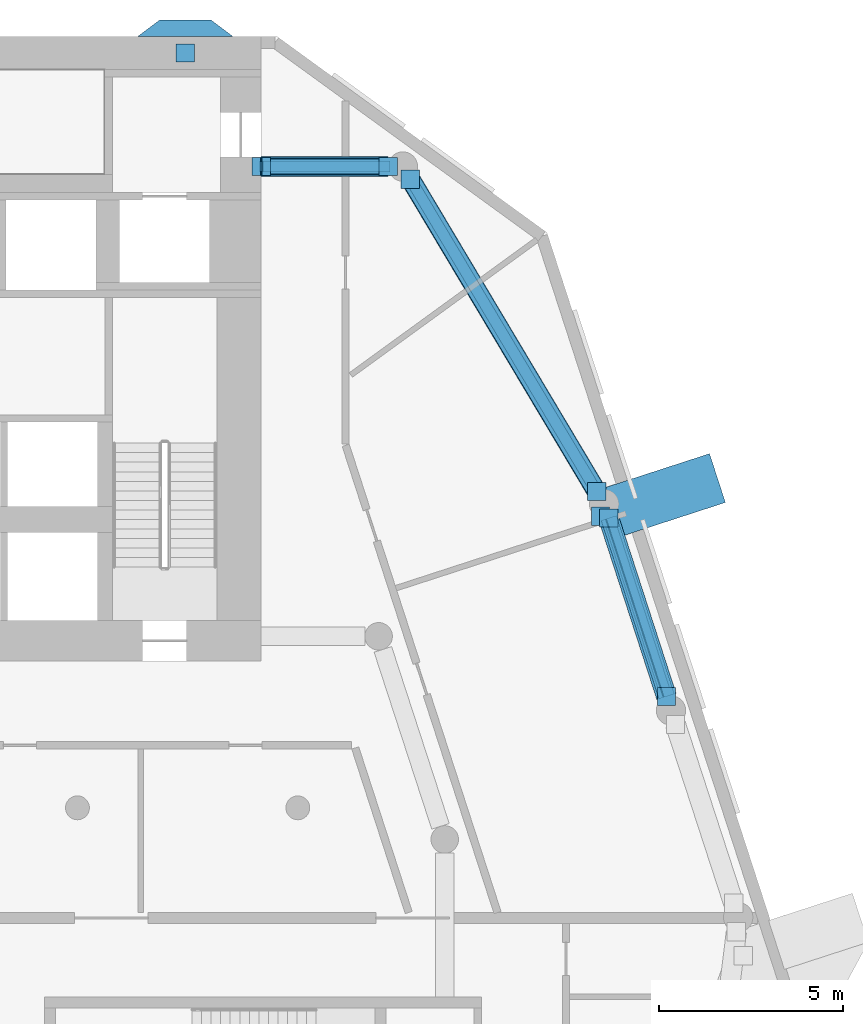
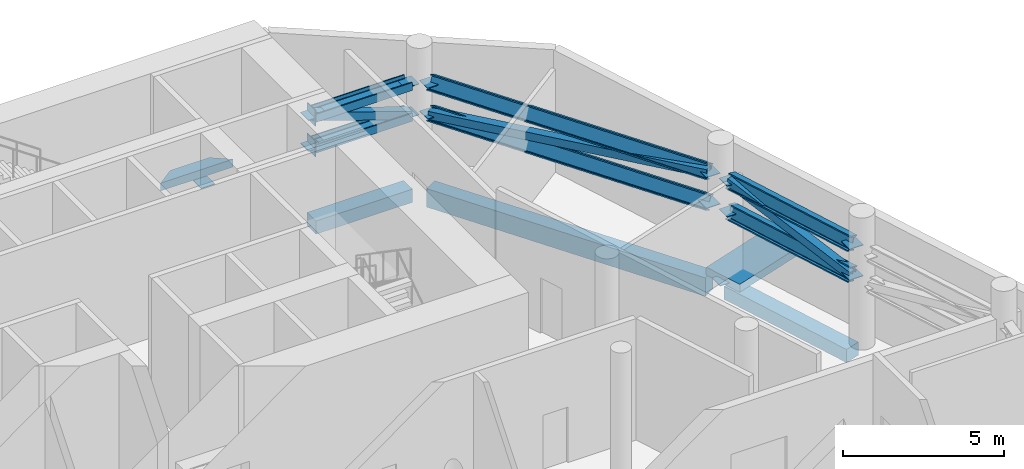
# One storey, part 5 of 15: 16 discrete accessories, 11 members, 3 beams.
"""IFC4 building model written with IfcOpenShell, lengths in metres."""

from ifc_helpers import new_model, si_unit, direction, frame, origin, origin_2d, place, context, subcontext, project, spatial, polyline, rectangle, hollow_rectangle, i_section, outline, extrude, material, layer, layer_set, material_profile, profile_set, type_object, element, aggregate, save


model = new_model("IFC4")

# Units and contexts
model_context = context("Model", 3, precision=1e-05, world=origin(), true_north=direction((0.0, 1.0)))
body_context = subcontext(model_context, "Body", "Model", "MODEL_VIEW")
ifc_project = project(units=[si_unit("LENGTHUNIT", "METRE"), si_unit("AREAUNIT", "SQUARE_METRE"), si_unit("VOLUMEUNIT", "CUBIC_METRE"), si_unit("PLANEANGLEUNIT", "RADIAN"), si_unit("MASSUNIT", "GRAM", prefix="KILO")], contexts=[model_context])

# Site, building, storey
site_placement = place(None, origin())
site = spatial("IfcSite", under=ifc_project, at=site_placement, CompositionType="ELEMENT")
building_placement = place(site_placement, origin())
building = spatial("IfcBuilding", under=site, at=building_placement, Name="White Candle Pilgrim Tower", CompositionType="ELEMENT")
storey_placement = place(building_placement, frame((0.0, 0.0, 137.60009765625)))
storey = spatial("IfcBuildingStorey", under=building, at=storey_placement, Name="L31", CompositionType="ELEMENT", Elevation=137.60009765625)

# Member
ifc_material_1 = material(Name="Steel S355", Category="steel")
ifc_material_profile_1 = material_profile(ifc_material_1, i_section(OverallWidth=0.305908203125, OverallDepth=0.52392578125, WebThickness=0.02099609375, FlangeThickness=0.0400390625, FilletRadius=0.027099609375, at=origin_2d()), Name="HEM 500")
ifc_profile_set_1 = profile_set([ifc_material_profile_1], Name="Steel S355")
member_type_1 = type_object("IfcMemberType", Name="Belt truss chord HEM 500 S355", PredefinedType="CHORD", material=ifc_profile_set_1)
member_1_placement = place(storey_placement, frame((92.036865234375, 70.030517578125, 2.411865234375), z_axis=(-0.308114253226, 0.951349361149, 0.0), x_axis=(0.90507395241, 0.293127000816, -0.308087166338)))
member_1 = element("IfcMember", 1, at=member_1_placement, inside=storey, type_object=member_type_1, Name="L31 belt truss bottom chord 07", PredefinedType="CHORD", context=body_context, shape_type="SweptSolid", body=[
    extrude(i_section(OverallWidth=0.305908203125, OverallDepth=0.52392578125, WebThickness=0.02099609375, FlangeThickness=0.0400390625, FilletRadius=0.027099609375, at=origin_2d()), origin(), (0.0, 0.0, 1.0), 5.107666015625),
])

member_2_placement = place(storey_placement, frame((92.036865234375, 70.030517578125, 3.577880859375), z_axis=(-0.308114253226, 0.951349361149, 0.0), x_axis=(0.90507395241, 0.293127000816, -0.308087166338)))
member_2 = element("IfcMember", 2, at=member_2_placement, inside=storey, type_object=member_type_1, Name="L31 belt truss top chord 07", PredefinedType="CHORD", context=body_context, shape_type="SweptSolid", body=[
    extrude(i_section(OverallWidth=0.305908203125, OverallDepth=0.52392578125, WebThickness=0.02099609375, FlangeThickness=0.0400390625, FilletRadius=0.027099609375, at=origin_2d()), origin(), (0.0, 0.0, 1.0), 5.107666015625),
])

member_3_placement = place(storey_placement, frame((90.13525390625, 75.61328125, 2.411865234375), z_axis=(-0.51215480768, 0.858893155736, 0.0), x_axis=(0.737698470636, 0.439886865824, -0.512152820647)))
member_3 = element("IfcMember", 3, at=member_3_placement, inside=storey, type_object=member_type_1, Name="L31 belt truss bottom chord 08", PredefinedType="CHORD", context=body_context, shape_type="SweptSolid", body=[
    extrude(i_section(OverallWidth=0.305908203125, OverallDepth=0.52392578125, WebThickness=0.02099609375, FlangeThickness=0.0400390625, FilletRadius=0.027099609375, at=origin_2d()), origin(), (0.0, 0.0, 1.0), 9.900390625),
])

member_4_placement = place(storey_placement, frame((90.13525390625, 75.61328125, 3.577880859375), z_axis=(-0.51215480768, 0.858893155736, 0.0), x_axis=(0.737698470636, 0.439886865824, -0.512152820647)))
member_4 = element("IfcMember", 4, at=member_4_placement, inside=storey, type_object=member_type_1, Name="L31 belt truss top chord 08", PredefinedType="CHORD", context=body_context, shape_type="SweptSolid", body=[
    extrude(i_section(OverallWidth=0.305908203125, OverallDepth=0.52392578125, WebThickness=0.02099609375, FlangeThickness=0.0400390625, FilletRadius=0.027099609375, at=origin_2d()), origin(), (0.0, 0.0, 1.0), 9.900390625),
])

member_5_placement = place(storey_placement, frame((84.4599609375, 84.4599609375, 2.411865234375), z_axis=(-1.0, 0.0, 0.0), x_axis=(0.0, 0.0, -1.0)))
member_5 = element("IfcMember", 5, at=member_5_placement, inside=storey, type_object=member_type_1, Name="L31 belt truss bottom chord 09", PredefinedType="CHORD", context=body_context, shape_type="SweptSolid", body=[
    extrude(i_section(OverallWidth=0.305908203125, OverallDepth=0.52392578125, WebThickness=0.02099609375, FlangeThickness=0.0400390625, FilletRadius=0.027099609375, at=origin_2d()), origin(), (0.0, 0.0, 1.0), 3.4599609375),
])

member_6_placement = place(storey_placement, frame((84.4599609375, 84.4599609375, 3.577880859375), z_axis=(-1.0, 0.0, 0.0), x_axis=(0.0, 0.0, -1.0)))
member_6 = element("IfcMember", 6, at=member_6_placement, inside=storey, type_object=member_type_1, Name="L31 belt truss top chord 09", PredefinedType="CHORD", context=body_context, shape_type="SweptSolid", body=[
    extrude(i_section(OverallWidth=0.305908203125, OverallDepth=0.52392578125, WebThickness=0.02099609375, FlangeThickness=0.0400390625, FilletRadius=0.027099609375, at=origin_2d()), origin(), (0.0, 0.0, 1.0), 3.4599609375),
])

# Members
ifc_material_profile_2 = material_profile(ifc_material_1, hollow_rectangle(XDim=0.300048828125, YDim=0.300048828125, WallThickness=0.01611328125, at=origin_2d()), Name="SHS 300x300x16")
ifc_profile_set_2 = profile_set([ifc_material_profile_2], Name="Steel S355")
member_type_2 = type_object("IfcMemberType", Name="Belt truss diagonal SHS 300x300x16 S355", PredefinedType="BRACE", material=ifc_profile_set_2)
member_7_placement = place(storey_placement, frame((92.036865234375, 70.030517578125, 2.411865234375), z_axis=(-0.300386190489, 0.927487798526, 0.222563519357), x_axis=(-0.951349361149, -0.308114253226, 0.0)))
element("IfcMember", 7, at=member_7_placement, inside=storey, type_object=member_type_2, Name="L31 belt truss diagonal 07", PredefinedType="BRACE", context=body_context, shape_type="SweptSolid", body=[
    extrude(hollow_rectangle(XDim=0.300048828125, YDim=0.300048828125, WallThickness=0.01611328125, at=origin_2d()), origin(), (0.0, 0.0, 1.0), 5.239013671875),
])
member_8_placement = place(storey_placement, frame((90.13525390625, 75.61328125, 3.577880859375), z_axis=(-0.508639351341, 0.852997669951, -0.116965744235), x_axis=(-0.858893155736, -0.51215480768, 0.0)))
element("IfcMember", 8, at=member_8_placement, inside=storey, type_object=member_type_2, Name="L31 belt truss diagonal 08", PredefinedType="BRACE", context=body_context, shape_type="SweptSolid", body=[
    extrude(hollow_rectangle(XDim=0.300048828125, YDim=0.300048828125, WallThickness=0.01611328125, at=origin_2d()), origin(), (0.0, 0.0, 1.0), 9.96875),
])
member_9_placement = place(storey_placement, frame((84.4599609375, 84.4599609375, 2.411865234375), z_axis=(-0.947635016043, 0.0, 0.319355407608), x_axis=(0.0, -1.0, 0.0)))
element("IfcMember", 9, at=member_9_placement, inside=storey, type_object=member_type_2, Name="L31 belt truss diagonal 09", PredefinedType="BRACE", context=body_context, shape_type="SweptSolid", body=[
    extrude(hollow_rectangle(XDim=0.300048828125, YDim=0.300048828125, WallThickness=0.01611328125, at=origin_2d()), origin(), (0.0, 0.0, 1.0), 3.651123046875),
])

# Member
ifc_material_2 = material(Name="Concrete C70/85, white", Category="concrete")
ifc_layer_1 = layer(ifc_material_2, 0.300048828125)
ifc_layer_set_1 = layer_set([ifc_layer_1], Name="Node tie strut 3350x1400x300 C70/85")
member_type_3 = type_object("IfcMemberType", Name="Node tie strut 3350x1400x300 C70/85", PredefinedType="STRUT", material=ifc_layer_set_1)
member_10_placement = place(storey_placement, frame((91.832275390625, 75.46044921875, -0.30029296875), z_axis=(0.0, 0.0, 1.0), x_axis=(-0.309016994375, 0.951056516295, 0.0)))
member_10 = element("IfcMember", 10, at=member_10_placement, inside=storey, type_object=member_type_3, Name="Node tie strut NC092", PredefinedType="STRUT", context=body_context, shape_type="SweptSolid", body=[
    extrude(rectangle(XDim=1.39990234375, YDim=3.35009765625, at=origin_2d()), origin(), (0.0, 0.0, 1.0), 0.300048828125),
])

ifc_layer_2 = layer(ifc_material_2, 0.300048828125)
ifc_layer_set_2 = layer_set([ifc_layer_2], Name="Node tie strut 900x1400x300 C70/85")
member_type_4 = type_object("IfcMemberType", Name="Node tie strut 900x1400x300 C70/85", PredefinedType="STRUT", material=ifc_layer_set_2)
member_11_placement = place(storey_placement, frame((0.0, 0.0, -0.300048828125)))
member_11 = element("IfcMember", 11, at=member_11_placement, inside=storey, type_object=member_type_4, Name="Node tie strut NC093", PredefinedType="STRUT", context=body_context, shape_type="SweptSolid", body=[
    extrude(outline(polyline([(77.636962890625, 88.0), (80.237060546875, 88.0), (79.636962890625, 88.449951171875), (78.237060546875, 88.449951171875), (77.636962890625, 88.0)])), origin(), (0.0, 0.0, 1.0), 0.300048828125),
])

# Beams
ifc_material_3 = material(Name="Concrete C50/60", Category="concrete")
ifc_material_profile_3 = material_profile(ifc_material_3, rectangle(XDim=0.5, YDim=0.699951171875, at=origin_2d()), Name="RC-BM 500x700")
ifc_profile_set_3 = profile_set([ifc_material_profile_3], Name="Concrete C50/60")
beam_type_1 = type_object("IfcBeamType", Name="Spandrel beam RC-BM 500x700 C50/60", PredefinedType="BEAM", material=ifc_profile_set_3)
beam_1_placement = place(storey_placement, frame((90.13525390625, 75.61328125, -0.650146484375), z_axis=(-0.51215480768, 0.858893155736, 0.0), x_axis=(-0.858893155736, -0.51215480768, 0.0)))
element("IfcBeam", 12, at=beam_1_placement, inside=storey, type_object=beam_type_1, Name="L31 spandrel beam T08", PredefinedType="BEAM", context=body_context, shape_type="SweptSolid", body=[
    extrude(rectangle(XDim=0.5, YDim=0.699951171875, at=origin_2d()), origin(), (0.0, 0.0, 1.0), 9.900390625),
])
ifc_material_profile_4 = material_profile(ifc_material_3, rectangle(XDim=0.550048828125, YDim=0.5, at=origin_2d()), Name="RC-BM 550x500")
ifc_profile_set_4 = profile_set([ifc_material_profile_4], Name="Concrete C50/60")
beam_type_2 = type_object("IfcBeamType", Name="Spandrel beam RC-BM 550x500 C50/60", PredefinedType="BEAM", material=ifc_profile_set_4)
beam_2_placement = place(storey_placement, frame((92.036865234375, 70.030517578125, -0.550048828125), z_axis=(-0.308114253226, 0.951349361149, 0.0), x_axis=(-0.951349361149, -0.308114253226, 0.0)))
element("IfcBeam", 13, at=beam_2_placement, inside=storey, type_object=beam_type_2, Name="L31 spandrel beam T07", PredefinedType="BEAM", context=body_context, shape_type="SweptSolid", body=[
    extrude(rectangle(XDim=0.550048828125, YDim=0.5, at=origin_2d()), origin(), (0.0, 0.0, 1.0), 5.107666015625),
])
beam_3_placement = place(storey_placement, frame((84.4599609375, 84.4599609375, -0.550048828125), z_axis=(-1.0, 0.0, 0.0), x_axis=(0.0, -1.0, 0.0)))
element("IfcBeam", 14, at=beam_3_placement, inside=storey, type_object=beam_type_2, Name="L31 spandrel beam T09", PredefinedType="BEAM", context=body_context, shape_type="SweptSolid", body=[
    extrude(rectangle(XDim=0.550048828125, YDim=0.5, at=origin_2d()), origin(), (0.0, 0.0, 1.0), 3.4599609375),
])

# Discrete accessory
ifc_layer_3 = layer(ifc_material_1, 0.030029296875)
ifc_layer_set_3 = layer_set([ifc_layer_3], Name="Cast-in plate 500x600x30 S355")
discrete_accessory_type_1 = type_object("IfcDiscreteAccessoryType", Name="Cast-in plate 500x600x30 S355", PredefinedType="ANCHORPLATE", material=ifc_layer_set_3)
discrete_accessory_1_placement = place(storey_placement, frame((81.0, 84.4599609375, 2.11181640625), z_axis=(0.0, 0.0, 1.0), x_axis=(1.0, 0.0, 0.0)))
discrete_accessory_1 = element("IfcDiscreteAccessory", 15, at=discrete_accessory_1_placement, type_object=discrete_accessory_type_1, Name="Cast-in plate 0009", PredefinedType="ANCHORPLATE", context=body_context, shape_type="SweptSolid", body=[
    extrude(rectangle(XDim=0.030029296875, YDim=0.5, at=origin_2d()), origin(), (0.0, 0.0, 1.0), 0.60009765625),
])

discrete_accessory_2_placement = place(storey_placement, frame((81.0, 84.4599609375, 3.27783203125), z_axis=(0.0, 0.0, 1.0), x_axis=(1.0, 0.0, 0.0)))
discrete_accessory_2 = element("IfcDiscreteAccessory", 16, at=discrete_accessory_2_placement, type_object=discrete_accessory_type_1, Name="Cast-in plate 0010", PredefinedType="ANCHORPLATE", context=body_context, shape_type="SweptSolid", body=[
    extrude(rectangle(XDim=0.030029296875, YDim=0.5, at=origin_2d()), origin(), (0.0, 0.0, 1.0), 0.60009765625),
])

ifc_layer_4 = layer(ifc_material_1, 0.02490234375)
ifc_layer_set_4 = layer_set([ifc_layer_4], Name="Gusset plate 500x500x25 S355")
discrete_accessory_type_2 = type_object("IfcDiscreteAccessoryType", Name="Gusset plate 500x500x25 S355", PredefinedType="BRACKET", material=ifc_layer_set_4)
discrete_accessory_3_placement = place(storey_placement, frame((90.2392578125, 74.94287109375, -0.16259765625), z_axis=(0.0, 0.0, 1.0), x_axis=(1.0, 0.0, 0.0)))
discrete_accessory_3 = element("IfcDiscreteAccessory", 17, at=discrete_accessory_3_placement, type_object=discrete_accessory_type_2, Name="Gusset plate 0473", PredefinedType="BRACKET", context=body_context, shape_type="SweptSolid", body=[
    extrude(rectangle(XDim=0.5, YDim=0.5, at=origin_2d()), origin(), (0.0, 0.0, 1.0), 0.02490234375),
])

aggregate(member_10, [discrete_accessory_3])

discrete_accessory_4_placement = place(storey_placement, frame((78.93701171875, 87.550048828125, -0.16259765625), z_axis=(0.0, 0.0, 1.0), x_axis=(1.0, 0.0, 0.0)))
discrete_accessory_4 = element("IfcDiscreteAccessory", 18, at=discrete_accessory_4_placement, type_object=discrete_accessory_type_2, Name="Gusset plate 0474", PredefinedType="BRACKET", context=body_context, shape_type="SweptSolid", body=[
    extrude(rectangle(XDim=0.5, YDim=0.5, at=origin_2d()), origin(), (0.0, 0.0, 1.0), 0.02490234375),
])

aggregate(member_11, [discrete_accessory_4])

discrete_accessory_5_placement = place(storey_placement, frame((92.036865234375, 70.030517578125, 2.3994140625), z_axis=(0.0, 0.0, 1.0), x_axis=(1.0, 0.0, 0.0)))
discrete_accessory_5 = element("IfcDiscreteAccessory", 19, at=discrete_accessory_5_placement, type_object=discrete_accessory_type_2, Name="Gusset plate 0746", PredefinedType="BRACKET", context=body_context, shape_type="SweptSolid", body=[
    extrude(rectangle(XDim=0.5, YDim=0.5, at=origin_2d()), origin(), (0.0, 0.0, 1.0), 0.02490234375),
])

discrete_accessory_6_placement = place(storey_placement, frame((90.463134765625, 74.8896484375, 2.3994140625), z_axis=(0.0, 0.0, 1.0), x_axis=(1.0, 0.0, 0.0)))
discrete_accessory_6 = element("IfcDiscreteAccessory", 20, at=discrete_accessory_6_placement, type_object=discrete_accessory_type_2, Name="Gusset plate 0747", PredefinedType="BRACKET", context=body_context, shape_type="SweptSolid", body=[
    extrude(rectangle(XDim=0.5, YDim=0.5, at=origin_2d()), origin(), (0.0, 0.0, 1.0), 0.02490234375),
])

aggregate(member_1, [discrete_accessory_5, discrete_accessory_6])

discrete_accessory_7_placement = place(storey_placement, frame((92.036865234375, 70.030517578125, 3.5654296875), z_axis=(0.0, 0.0, 1.0), x_axis=(1.0, 0.0, 0.0)))
discrete_accessory_7 = element("IfcDiscreteAccessory", 21, at=discrete_accessory_7_placement, type_object=discrete_accessory_type_2, Name="Gusset plate 0748", PredefinedType="BRACKET", context=body_context, shape_type="SweptSolid", body=[
    extrude(rectangle(XDim=0.5, YDim=0.5, at=origin_2d()), origin(), (0.0, 0.0, 1.0), 0.02490234375),
])

discrete_accessory_8_placement = place(storey_placement, frame((90.463134765625, 74.8896484375, 3.5654296875), z_axis=(0.0, 0.0, 1.0), x_axis=(1.0, 0.0, 0.0)))
discrete_accessory_8 = element("IfcDiscreteAccessory", 22, at=discrete_accessory_8_placement, type_object=discrete_accessory_type_2, Name="Gusset plate 0749", PredefinedType="BRACKET", context=body_context, shape_type="SweptSolid", body=[
    extrude(rectangle(XDim=0.5, YDim=0.5, at=origin_2d()), origin(), (0.0, 0.0, 1.0), 0.02490234375),
])

aggregate(member_2, [discrete_accessory_7, discrete_accessory_8])

discrete_accessory_9_placement = place(storey_placement, frame((90.13525390625, 75.61328125, 2.3994140625), z_axis=(0.0, 0.0, 1.0), x_axis=(1.0, 0.0, 0.0)))
discrete_accessory_9 = element("IfcDiscreteAccessory", 23, at=discrete_accessory_9_placement, type_object=discrete_accessory_type_2, Name="Gusset plate 0750", PredefinedType="BRACKET", context=body_context, shape_type="SweptSolid", body=[
    extrude(rectangle(XDim=0.5, YDim=0.5, at=origin_2d()), origin(), (0.0, 0.0, 1.0), 0.02490234375),
])

discrete_accessory_10_placement = place(storey_placement, frame((85.064697265625, 84.11669921875, 2.3994140625), z_axis=(0.0, 0.0, 1.0), x_axis=(1.0, 0.0, 0.0)))
discrete_accessory_10 = element("IfcDiscreteAccessory", 24, at=discrete_accessory_10_placement, type_object=discrete_accessory_type_2, Name="Gusset plate 0751", PredefinedType="BRACKET", context=body_context, shape_type="SweptSolid", body=[
    extrude(rectangle(XDim=0.5, YDim=0.5, at=origin_2d()), origin(), (0.0, 0.0, 1.0), 0.02490234375),
])

aggregate(member_3, [discrete_accessory_9, discrete_accessory_10])

discrete_accessory_11_placement = place(storey_placement, frame((90.13525390625, 75.61328125, 3.5654296875), z_axis=(0.0, 0.0, 1.0), x_axis=(1.0, 0.0, 0.0)))
discrete_accessory_11 = element("IfcDiscreteAccessory", 25, at=discrete_accessory_11_placement, type_object=discrete_accessory_type_2, Name="Gusset plate 0752", PredefinedType="BRACKET", context=body_context, shape_type="SweptSolid", body=[
    extrude(rectangle(XDim=0.5, YDim=0.5, at=origin_2d()), origin(), (0.0, 0.0, 1.0), 0.02490234375),
])

discrete_accessory_12_placement = place(storey_placement, frame((85.064697265625, 84.11669921875, 3.5654296875), z_axis=(0.0, 0.0, 1.0), x_axis=(1.0, 0.0, 0.0)))
discrete_accessory_12 = element("IfcDiscreteAccessory", 26, at=discrete_accessory_12_placement, type_object=discrete_accessory_type_2, Name="Gusset plate 0753", PredefinedType="BRACKET", context=body_context, shape_type="SweptSolid", body=[
    extrude(rectangle(XDim=0.5, YDim=0.5, at=origin_2d()), origin(), (0.0, 0.0, 1.0), 0.02490234375),
])

aggregate(member_4, [discrete_accessory_11, discrete_accessory_12])

discrete_accessory_13_placement = place(storey_placement, frame((84.4599609375, 84.4599609375, 2.3994140625), z_axis=(0.0, 0.0, 1.0), x_axis=(1.0, 0.0, 0.0)))
discrete_accessory_13 = element("IfcDiscreteAccessory", 27, at=discrete_accessory_13_placement, type_object=discrete_accessory_type_2, Name="Gusset plate 0754", PredefinedType="BRACKET", context=body_context, shape_type="SweptSolid", body=[
    extrude(rectangle(XDim=0.5, YDim=0.5, at=origin_2d()), origin(), (0.0, 0.0, 1.0), 0.02490234375),
])

discrete_accessory_14_placement = place(storey_placement, frame((81.0, 84.4599609375, 2.3994140625), z_axis=(0.0, 0.0, 1.0), x_axis=(1.0, 0.0, 0.0)))
discrete_accessory_14 = element("IfcDiscreteAccessory", 28, at=discrete_accessory_14_placement, type_object=discrete_accessory_type_2, Name="Gusset plate 0755", PredefinedType="BRACKET", context=body_context, shape_type="SweptSolid", body=[
    extrude(rectangle(XDim=0.5, YDim=0.5, at=origin_2d()), origin(), (0.0, 0.0, 1.0), 0.02490234375),
])

aggregate(member_5, [discrete_accessory_13, discrete_accessory_14, discrete_accessory_1])

discrete_accessory_15_placement = place(storey_placement, frame((84.4599609375, 84.4599609375, 3.5654296875), z_axis=(0.0, 0.0, 1.0), x_axis=(1.0, 0.0, 0.0)))
discrete_accessory_15 = element("IfcDiscreteAccessory", 29, at=discrete_accessory_15_placement, type_object=discrete_accessory_type_2, Name="Gusset plate 0756", PredefinedType="BRACKET", context=body_context, shape_type="SweptSolid", body=[
    extrude(rectangle(XDim=0.5, YDim=0.5, at=origin_2d()), origin(), (0.0, 0.0, 1.0), 0.02490234375),
])

discrete_accessory_16_placement = place(storey_placement, frame((81.0, 84.4599609375, 3.5654296875), z_axis=(0.0, 0.0, 1.0), x_axis=(1.0, 0.0, 0.0)))
discrete_accessory_16 = element("IfcDiscreteAccessory", 30, at=discrete_accessory_16_placement, type_object=discrete_accessory_type_2, Name="Gusset plate 0757", PredefinedType="BRACKET", context=body_context, shape_type="SweptSolid", body=[
    extrude(rectangle(XDim=0.5, YDim=0.5, at=origin_2d()), origin(), (0.0, 0.0, 1.0), 0.02490234375),
])

aggregate(member_6, [discrete_accessory_15, discrete_accessory_16, discrete_accessory_2])

save(model, "model.ifc")
